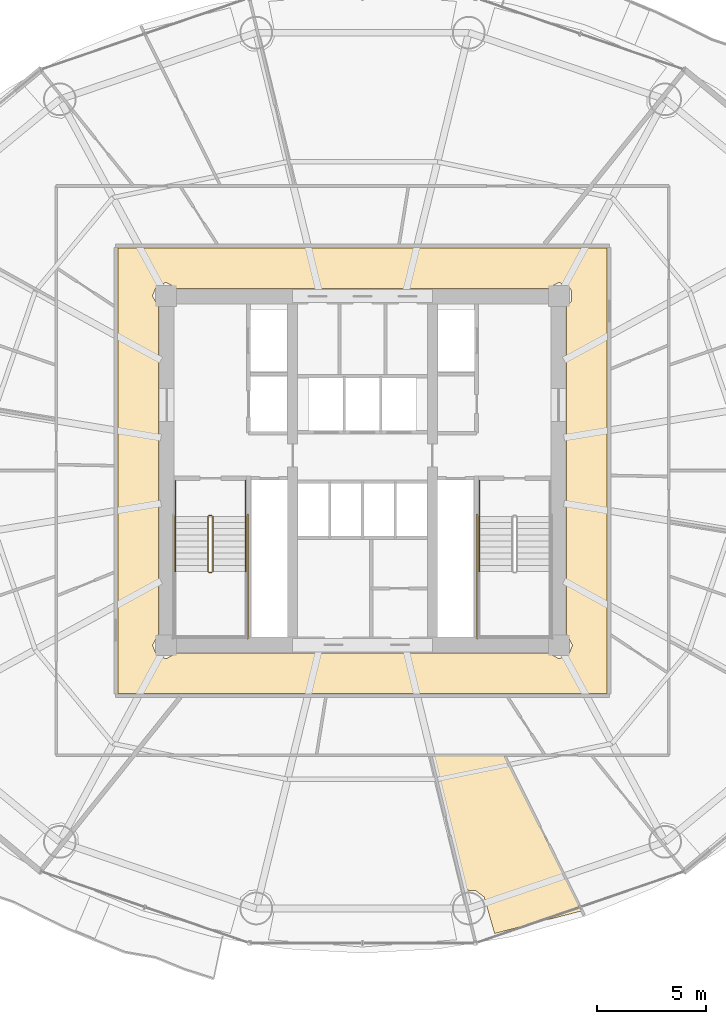
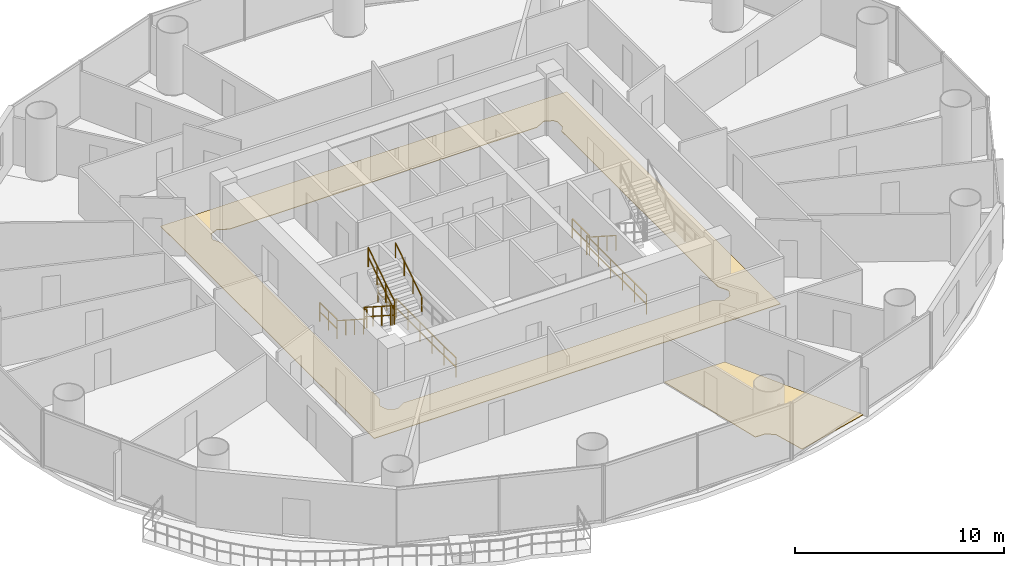
# One storey, part 27 of 29: 12 railings, 2 coverings.
"""IFC4 building model written with IfcOpenShell, lengths in metres."""

from ifc_helpers import new_model, si_unit, direction, frame, origin, origin_2d, place, context, subcontext, project, spatial, polyline, rectangle, outline, extrude, material, layer, layer_set, type_object, element, save


model = new_model("IFC4")

# Units and contexts
model_context = context("Model", 3, precision=1e-05, world=origin(), true_north=direction((-0.2419218956, 0.970295726276)))
body_context = subcontext(model_context, "Body", "Model", "MODEL_VIEW")
ifc_project = project(units=[si_unit("LENGTHUNIT", "METRE"), si_unit("AREAUNIT", "SQUARE_METRE"), si_unit("VOLUMEUNIT", "CUBIC_METRE"), si_unit("PLANEANGLEUNIT", "RADIAN"), si_unit("MASSUNIT", "GRAM", prefix="KILO")], contexts=[model_context])

# Site, building, storey
site_placement = place(None, origin())
site = spatial("IfcSite", under=ifc_project, at=site_placement, CompositionType="ELEMENT")
building_placement = place(site_placement, origin())
building = spatial("IfcBuilding", under=site, at=building_placement, Name="Cobrevalo Terracotta Tower", CompositionType="ELEMENT")
storey_placement = place(building_placement, frame((0.0, 0.0, 115.800048828125)))
storey = spatial("IfcBuildingStorey", under=building, at=storey_placement, Name="L30", CompositionType="ELEMENT", Elevation=115.800048828125)

# Coverings
ifc_material_1 = material(Name="Engineered Brazilian hardwood flooring", Category="wood")
ifc_layer_1 = layer(ifc_material_1, 0.028076171875)
ifc_layer_set_1 = layer_set([ifc_layer_1], Name="Engineered Brazilian hardwood flooring")
covering_type_1 = type_object("IfcCoveringType", Name="Engineered Hardwood Suite Flooring 28", PredefinedType="FLOORING", material=ifc_layer_set_1)
covering_1_placement = place(storey_placement, origin())
element("IfcCovering", 1, at=covering_1_placement, inside=storey, type_object=covering_type_1, Name="Flat L30B Master Bedroom floor finish", PredefinedType="FLOORING", context=body_context, shape_type="SweptSolid", body=[
    extrude(outline(polyline([(44.05078125, 5.59814453125), (43.578125, 7.261962890625), (43.170166015625, 7.5693359375), (42.62109375, 7.584716796875), (41.146240234375, 13.7451171875), (44.486328125, 13.7451171875), (48.033447265625, 6.630126953125), (44.05078125, 5.59814453125)])), origin(), (0.0, 0.0, 1.0), 0.030029296875),
])
ifc_material_2 = material(Name="Honed terracotta and granite tile", Category="masonry")
ifc_layer_2 = layer(ifc_material_2, 0.034912109375)
ifc_layer_set_2 = layer_set([ifc_layer_2], Name="Honed terracotta and granite tile")
covering_type_2 = type_object("IfcCoveringType", Name="Honed Terracotta & Granite Interior Flooring 35", PredefinedType="FLOORING", material=ifc_layer_set_2)
covering_2_placement = place(storey_placement, origin())
element("IfcCovering", 2, at=covering_2_placement, inside=storey, type_object=covering_type_2, Name="L30 Residential Floor Corridor floor finish", PredefinedType="FLOORING", context=body_context, shape_type="SweptSolid", body=[
    extrude(outline(polyline([(49.205078125, 37.0048828125), (49.205078125, 16.594970703125), (26.794921875, 16.594970703125), (26.794921875, 37.0048828125), (49.205078125, 37.0048828125)]), holes=[polyline([(47.344970703125, 34.298828125), (47.5732421875, 34.5625), (47.5732421875, 35.037353515625), (47.438720703125, 35.23876953125), (47.0, 35.42041015625), (46.498779296875, 35.14501953125), (29.501220703125, 35.14501953125), (29.0, 35.42041015625), (28.561279296875, 35.23876953125), (28.379638671875, 34.800048828125), (28.655029296875, 34.298828125), (28.655029296875, 19.30126953125), (28.379638671875, 18.800048828125), (28.561279296875, 18.361328125), (29.0, 18.1796875), (29.501220703125, 18.455078125), (46.498779296875, 18.455078125), (47.0, 18.1796875), (47.438720703125, 18.361328125), (47.620361328125, 18.800048828125), (47.344970703125, 19.30126953125), (47.344970703125, 34.298828125)])]), origin(), (0.0, 0.0, 1.0), 0.030029296875),
])

# Railings
ifc_material_3 = material(Name="Brushed stainless steel", Category="steel")
railing_type_1 = type_object("IfcRailingType", Name="Stainless Steel Stair Handrail 900", PredefinedType="HANDRAIL", material=ifc_material_3)
railing_1_placement = place(storey_placement, frame((29.425048828125, 24.699951171875, 0.179931640625)))
element("IfcRailing", 3, at=railing_1_placement, inside=storey, type_object=railing_type_1, Name="L30 ST-1 stair handrail 1", PredefinedType="HANDRAIL", context=body_context, shape_type="SweptSolid", body=[
    extrude(rectangle(XDim=0.048095703125, YDim=0.048095703125, at=origin_2d()), frame((0.0, 0.0, 0.8759765625), z_axis=(0.0, -0.841162588446, 0.540782303519), x_axis=(1.0, 0.0, 0.0)), (0.0, 0.0, 1.0), 2.995849609375),
    extrude(rectangle(XDim=0.0419921875, YDim=0.0419921875, at=origin_2d()), origin(), (0.0, 0.0, 1.0), 0.851806640625),
    extrude(rectangle(XDim=0.0419921875, YDim=0.0419921875, at=origin_2d()), frame((0.0, -0.840087890625, 0.5400390625)), (0.0, 0.0, 1.0), 0.851806640625),
    extrude(rectangle(XDim=0.0419921875, YDim=0.0419921875, at=origin_2d()), frame((0.0, -1.679931640625, 1.080078125)), (0.0, 0.0, 1.0), 0.851806640625),
    extrude(rectangle(XDim=0.0419921875, YDim=0.0419921875, at=origin_2d()), frame((0.0, -2.52001953125, 1.6201171875)), (0.0, 0.0, 1.0), 0.851806640625),
])
railing_2_placement = place(storey_placement, frame((32.64501953125, 22.179931640625, 1.97998046875)))
element("IfcRailing", 4, at=railing_2_placement, inside=storey, type_object=railing_type_1, Name="L30 ST-1 stair handrail 2", PredefinedType="HANDRAIL", context=body_context, shape_type="SweptSolid", body=[
    extrude(rectangle(XDim=0.048095703125, YDim=0.048095703125, at=origin_2d()), frame((0.0, 0.0, 0.8759765625), z_axis=(0.0, 0.841199657755, 0.540724639528), x_axis=(-1.0, 0.0, 0.0)), (0.0, 0.0, 1.0), 2.995849609375),
    extrude(rectangle(XDim=0.0419921875, YDim=0.0419921875, at=origin_2d()), origin(), (0.0, 0.0, 1.0), 0.851806640625),
    extrude(rectangle(XDim=0.0419921875, YDim=0.0419921875, at=origin_2d()), frame((0.0, 0.840087890625, 0.5400390625)), (0.0, 0.0, 1.0), 0.851806640625),
    extrude(rectangle(XDim=0.0419921875, YDim=0.0419921875, at=origin_2d()), frame((0.0, 1.679931640625, 1.079833984375)), (0.0, 0.0, 1.0), 0.851806640625),
    extrude(rectangle(XDim=0.0419921875, YDim=0.0419921875, at=origin_2d()), frame((0.0, 2.52001953125, 1.619873046875)), (0.0, 0.0, 1.0), 0.851806640625),
])
railing_3_placement = place(storey_placement, frame((43.35498046875, 24.699951171875, 0.179931640625)))
element("IfcRailing", 5, at=railing_3_placement, inside=storey, type_object=railing_type_1, Name="L30 ST-2 stair handrail 1", PredefinedType="HANDRAIL", context=body_context, shape_type="SweptSolid", body=[
    extrude(rectangle(XDim=0.048095703125, YDim=0.048095703125, at=origin_2d()), frame((0.0, 0.0, 0.8759765625), z_axis=(0.0, -0.841162588446, 0.540782303519), x_axis=(1.0, 0.0, 0.0)), (0.0, 0.0, 1.0), 2.995849609375),
    extrude(rectangle(XDim=0.0419921875, YDim=0.0419921875, at=origin_2d()), origin(), (0.0, 0.0, 1.0), 0.851806640625),
    extrude(rectangle(XDim=0.0419921875, YDim=0.0419921875, at=origin_2d()), frame((0.0, -0.840087890625, 0.5400390625)), (0.0, 0.0, 1.0), 0.851806640625),
    extrude(rectangle(XDim=0.0419921875, YDim=0.0419921875, at=origin_2d()), frame((0.0, -1.679931640625, 1.080078125)), (0.0, 0.0, 1.0), 0.851806640625),
    extrude(rectangle(XDim=0.0419921875, YDim=0.0419921875, at=origin_2d()), frame((0.0, -2.52001953125, 1.6201171875)), (0.0, 0.0, 1.0), 0.851806640625),
])
ifc_material_4 = material(Name="Painted galvanized steel", Category="steel")
railing_type_2 = type_object("IfcRailingType", Name="Stair Well Guard Balustrade 1150", PredefinedType="GUARDRAIL", material=ifc_material_4)
railing_4_placement = place(storey_placement, frame((30.925048828125, 24.699951171875, 0.179931640625)))
element("IfcRailing", 6, at=railing_4_placement, inside=storey, type_object=railing_type_2, Name="L30 ST-1 stair guard 1", PredefinedType="GUARDRAIL", context=body_context, shape_type="SweptSolid", body=[
    extrude(rectangle(XDim=0.048095703125, YDim=0.048095703125, at=origin_2d()), frame((0.0, 0.0, 1.1259765625), z_axis=(0.0, -0.841162588446, 0.540782303519), x_axis=(1.0, 0.0, 0.0)), (0.0, 0.0, 1.0), 2.995849609375),
    extrude(rectangle(XDim=0.048095703125, YDim=0.048095703125, at=origin_2d()), frame((0.0, 0.0, 0.574951171875), z_axis=(0.0, -0.841162588446, 0.540782303519), x_axis=(1.0, 0.0, 0.0)), (0.0, 0.0, 1.0), 2.995849609375),
    extrude(rectangle(XDim=0.0419921875, YDim=0.0419921875, at=origin_2d()), origin(), (0.0, 0.0, 1.0), 1.101806640625),
    extrude(rectangle(XDim=0.0419921875, YDim=0.0419921875, at=origin_2d()), frame((0.0, -0.840087890625, 0.5400390625)), (0.0, 0.0, 1.0), 1.101806640625),
    extrude(rectangle(XDim=0.0419921875, YDim=0.0419921875, at=origin_2d()), frame((0.0, -1.679931640625, 1.080078125)), (0.0, 0.0, 1.0), 1.101806640625),
    extrude(rectangle(XDim=0.0419921875, YDim=0.0419921875, at=origin_2d()), frame((0.0, -2.52001953125, 1.6201171875)), (0.0, 0.0, 1.0), 1.101806640625),
])
railing_5_placement = place(storey_placement, frame((30.97509765625, 22.1298828125, 1.800048828125)))
element("IfcRailing", 7, at=railing_5_placement, inside=storey, type_object=railing_type_2, Name="L30 ST-1 stair guard 2", PredefinedType="GUARDRAIL", context=body_context, shape_type="SweptSolid", body=[
    extrude(rectangle(XDim=0.048095703125, YDim=0.048095703125, at=origin_2d()), frame((0.0, 0.0, 1.1259765625), z_axis=(1.0, 0.0, 0.0), x_axis=(0.0, 1.0, 0.0)), (0.0, 0.0, 1.0), 0.119873046875),
    extrude(rectangle(XDim=0.048095703125, YDim=0.048095703125, at=origin_2d()), frame((0.0, 0.0, 0.574951171875), z_axis=(1.0, 0.0, 0.0), x_axis=(0.0, 1.0, 0.0)), (0.0, 0.0, 1.0), 0.119873046875),
    extrude(rectangle(XDim=0.0419921875, YDim=0.0419921875, at=origin_2d()), origin(), (0.0, 0.0, 1.0), 1.101806640625),
    extrude(rectangle(XDim=0.0419921875, YDim=0.0419921875, at=origin_2d()), frame((0.119873046875, 0.0, 0.0)), (0.0, 0.0, 1.0), 1.101806640625),
])
railing_6_placement = place(storey_placement, frame((31.14501953125, 22.179931640625, 1.97998046875)))
element("IfcRailing", 8, at=railing_6_placement, inside=storey, type_object=railing_type_2, Name="L30 ST-1 stair guard 6", PredefinedType="GUARDRAIL", context=body_context, shape_type="SweptSolid", body=[
    extrude(rectangle(XDim=0.048095703125, YDim=0.048095703125, at=origin_2d()), frame((0.0, 0.0, 1.1259765625), z_axis=(0.0, 0.841199657755, 0.540724639528), x_axis=(-1.0, 0.0, 0.0)), (0.0, 0.0, 1.0), 2.995849609375),
    extrude(rectangle(XDim=0.048095703125, YDim=0.048095703125, at=origin_2d()), frame((0.0, 0.0, 0.574951171875), z_axis=(0.0, 0.841199657755, 0.540724639528), x_axis=(-1.0, 0.0, 0.0)), (0.0, 0.0, 1.0), 2.995849609375),
    extrude(rectangle(XDim=0.0419921875, YDim=0.0419921875, at=origin_2d()), origin(), (0.0, 0.0, 1.0), 1.101806640625),
    extrude(rectangle(XDim=0.0419921875, YDim=0.0419921875, at=origin_2d()), frame((0.0, 0.840087890625, 0.5400390625)), (0.0, 0.0, 1.0), 1.101806640625),
    extrude(rectangle(XDim=0.0419921875, YDim=0.0419921875, at=origin_2d()), frame((0.0, 1.679931640625, 1.079833984375)), (0.0, 0.0, 1.0), 1.101806640625),
    extrude(rectangle(XDim=0.0419921875, YDim=0.0419921875, at=origin_2d()), frame((0.0, 2.52001953125, 1.619873046875)), (0.0, 0.0, 1.0), 1.101806640625),
])
railing_7_placement = place(storey_placement, frame((30.97509765625, 24.75, 0.0)))
element("IfcRailing", 9, at=railing_7_placement, inside=storey, type_object=railing_type_2, Name="L30 ST-1 stair guard 7", PredefinedType="GUARDRAIL", context=body_context, shape_type="SweptSolid", body=[
    extrude(rectangle(XDim=0.048095703125, YDim=0.048095703125, at=origin_2d()), frame((0.0, 0.0, 1.1259765625), z_axis=(1.0, 0.0, 0.0), x_axis=(0.0, 1.0, 0.0)), (0.0, 0.0, 1.0), 0.119873046875),
    extrude(rectangle(XDim=0.048095703125, YDim=0.048095703125, at=origin_2d()), frame((0.0, 0.0, 0.574951171875), z_axis=(1.0, 0.0, 0.0), x_axis=(0.0, 1.0, 0.0)), (0.0, 0.0, 1.0), 0.119873046875),
    extrude(rectangle(XDim=0.0419921875, YDim=0.0419921875, at=origin_2d()), origin(), (0.0, 0.0, 1.0), 1.101806640625),
    extrude(rectangle(XDim=0.0419921875, YDim=0.0419921875, at=origin_2d()), frame((0.119873046875, 0.0, 0.0)), (0.0, 0.0, 1.0), 1.101806640625),
])
for number, where, name in (
    (10, (29.425048828125, 26.35009765625, 0.0), "L30 ST-1 stair guard 8"),
    (11, (32.64501953125, 26.35009765625, 0.0), "L30 ST-1 stair guard 9"),
):
    element("IfcRailing", number, at=place(storey_placement, frame(where)), inside=storey, type_object=railing_type_2, Name=name, PredefinedType="GUARDRAIL", context=body_context, shape_type="SweptSolid", body=[
        extrude(rectangle(XDim=0.048095703125, YDim=0.048095703125, at=origin_2d()), frame((0.0, 0.0, 1.1259765625), z_axis=(0.0, -1.0, 0.0), x_axis=(1.0, 0.0, 0.0)), (0.0, 0.0, 1.0), 1.650146484375),
        extrude(rectangle(XDim=0.048095703125, YDim=0.048095703125, at=origin_2d()), frame((0.0, 0.0, 0.574951171875), z_axis=(0.0, -1.0, 0.0), x_axis=(1.0, 0.0, 0.0)), (0.0, 0.0, 1.0), 1.650146484375),
        extrude(rectangle(XDim=0.0419921875, YDim=0.0419921875, at=origin_2d()), origin(), (0.0, 0.0, 1.0), 1.101806640625),
        extrude(rectangle(XDim=0.0419921875, YDim=0.0419921875, at=origin_2d()), frame((0.0, -0.8251953125, 0.0)), (0.0, 0.0, 1.0), 1.101806640625),
        extrude(rectangle(XDim=0.0419921875, YDim=0.0419921875, at=origin_2d()), frame((0.0, -1.650146484375, 0.0)), (0.0, 0.0, 1.0), 1.101806640625),
    ])
railing_8_placement = place(storey_placement, frame((32.7451171875, 24.800048828125, 0.0)))
element("IfcRailing", 12, at=railing_8_placement, inside=storey, type_object=railing_type_2, Name="L30 ST-1 stair guard 11", PredefinedType="GUARDRAIL", context=body_context, shape_type="SweptSolid", body=[
    extrude(rectangle(XDim=0.048095703125, YDim=0.048095703125, at=origin_2d()), frame((0.0, 0.0, 1.1259765625), z_axis=(0.0, -1.0, 0.0), x_axis=(1.0, 0.0, 0.0)), (0.0, 0.0, 1.0), 5.72509765625),
    extrude(rectangle(XDim=0.048095703125, YDim=0.048095703125, at=origin_2d()), frame((0.0, 0.0, 0.574951171875), z_axis=(0.0, -1.0, 0.0), x_axis=(1.0, 0.0, 0.0)), (0.0, 0.0, 1.0), 5.72509765625),
    extrude(rectangle(XDim=0.0419921875, YDim=0.0419921875, at=origin_2d()), origin(), (0.0, 0.0, 1.0), 1.101806640625),
    extrude(rectangle(XDim=0.0419921875, YDim=0.0419921875, at=origin_2d()), frame((0.0, -1.14501953125, 0.0)), (0.0, 0.0, 1.0), 1.101806640625),
    extrude(rectangle(XDim=0.0419921875, YDim=0.0419921875, at=origin_2d()), frame((0.0, -2.2900390625, 0.0)), (0.0, 0.0, 1.0), 1.101806640625),
    extrude(rectangle(XDim=0.0419921875, YDim=0.0419921875, at=origin_2d()), frame((0.0, -3.43505859375, 0.0)), (0.0, 0.0, 1.0), 1.101806640625),
    extrude(rectangle(XDim=0.0419921875, YDim=0.0419921875, at=origin_2d()), frame((0.0, -4.580078125, 0.0)), (0.0, 0.0, 1.0), 1.101806640625),
    extrude(rectangle(XDim=0.0419921875, YDim=0.0419921875, at=origin_2d()), frame((0.0, -5.72509765625, 0.0)), (0.0, 0.0, 1.0), 1.101806640625),
])
railing_9_placement = place(storey_placement, frame((43.35498046875, 26.35009765625, 0.0)))
element("IfcRailing", 13, at=railing_9_placement, inside=storey, type_object=railing_type_2, Name="L30 ST-2 stair guard 8", PredefinedType="GUARDRAIL", context=body_context, shape_type="SweptSolid", body=[
    extrude(rectangle(XDim=0.048095703125, YDim=0.048095703125, at=origin_2d()), frame((0.0, 0.0, 1.1259765625), z_axis=(0.0, -1.0, 0.0), x_axis=(1.0, 0.0, 0.0)), (0.0, 0.0, 1.0), 1.650146484375),
    extrude(rectangle(XDim=0.048095703125, YDim=0.048095703125, at=origin_2d()), frame((0.0, 0.0, 0.574951171875), z_axis=(0.0, -1.0, 0.0), x_axis=(1.0, 0.0, 0.0)), (0.0, 0.0, 1.0), 1.650146484375),
    extrude(rectangle(XDim=0.0419921875, YDim=0.0419921875, at=origin_2d()), origin(), (0.0, 0.0, 1.0), 1.101806640625),
    extrude(rectangle(XDim=0.0419921875, YDim=0.0419921875, at=origin_2d()), frame((0.0, -0.8251953125, 0.0)), (0.0, 0.0, 1.0), 1.101806640625),
    extrude(rectangle(XDim=0.0419921875, YDim=0.0419921875, at=origin_2d()), frame((0.0, -1.650146484375, 0.0)), (0.0, 0.0, 1.0), 1.101806640625),
])
railing_10_placement = place(storey_placement, frame((43.2548828125, 24.800048828125, 0.0)))
element("IfcRailing", 14, at=railing_10_placement, inside=storey, type_object=railing_type_2, Name="L30 ST-2 stair guard 10", PredefinedType="GUARDRAIL", context=body_context, shape_type="SweptSolid", body=[
    extrude(rectangle(XDim=0.048095703125, YDim=0.048095703125, at=origin_2d()), frame((0.0, 0.0, 1.1259765625), z_axis=(0.0, -1.0, 0.0), x_axis=(1.0, 0.0, 0.0)), (0.0, 0.0, 1.0), 5.72509765625),
    extrude(rectangle(XDim=0.048095703125, YDim=0.048095703125, at=origin_2d()), frame((0.0, 0.0, 0.574951171875), z_axis=(0.0, -1.0, 0.0), x_axis=(1.0, 0.0, 0.0)), (0.0, 0.0, 1.0), 5.72509765625),
    extrude(rectangle(XDim=0.0419921875, YDim=0.0419921875, at=origin_2d()), origin(), (0.0, 0.0, 1.0), 1.101806640625),
    extrude(rectangle(XDim=0.0419921875, YDim=0.0419921875, at=origin_2d()), frame((0.0, -1.14501953125, 0.0)), (0.0, 0.0, 1.0), 1.101806640625),
    extrude(rectangle(XDim=0.0419921875, YDim=0.0419921875, at=origin_2d()), frame((0.0, -2.2900390625, 0.0)), (0.0, 0.0, 1.0), 1.101806640625),
    extrude(rectangle(XDim=0.0419921875, YDim=0.0419921875, at=origin_2d()), frame((0.0, -3.43505859375, 0.0)), (0.0, 0.0, 1.0), 1.101806640625),
    extrude(rectangle(XDim=0.0419921875, YDim=0.0419921875, at=origin_2d()), frame((0.0, -4.580078125, 0.0)), (0.0, 0.0, 1.0), 1.101806640625),
    extrude(rectangle(XDim=0.0419921875, YDim=0.0419921875, at=origin_2d()), frame((0.0, -5.72509765625, 0.0)), (0.0, 0.0, 1.0), 1.101806640625),
])

save(model, "model.ifc")
